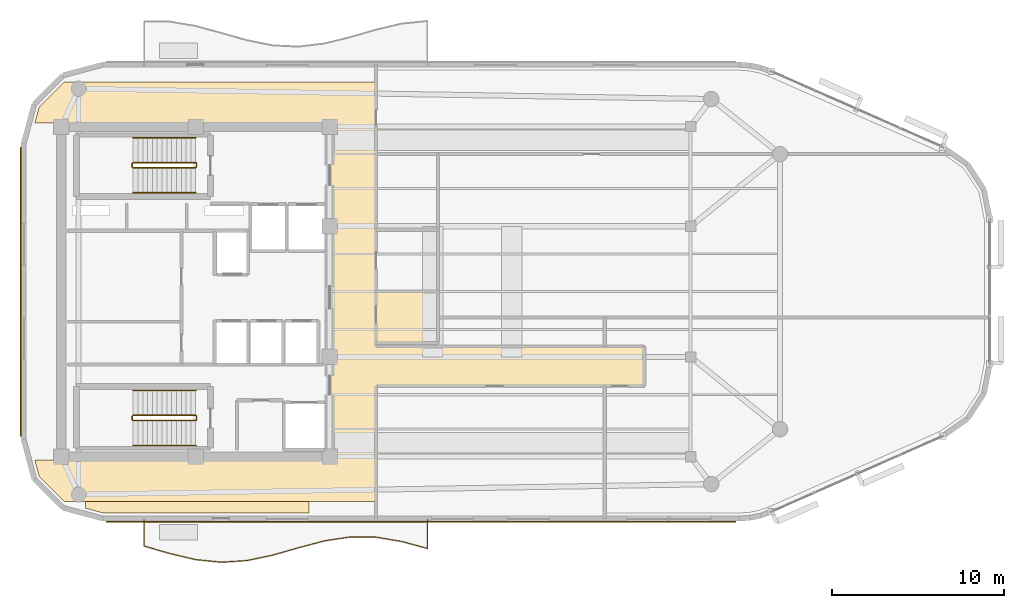
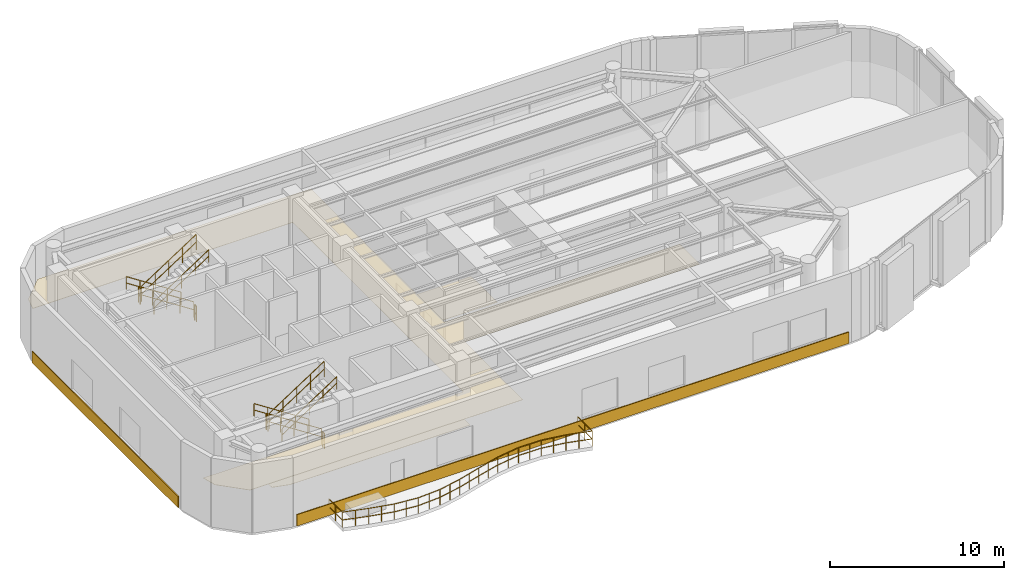
# One storey, part 11 of 12: 13 railings, 5 coverings.
"""IFC4 building model written with IfcOpenShell, lengths in metres."""

from ifc_helpers import new_model, si_unit, direction, frame, origin, origin_2d, place, context, subcontext, project, spatial, polyline, rectangle, circle, outline, extrude, material, layer, layer_set, type_object, element, save


model = new_model("IFC4")

# Units and contexts
model_context = context("Model", 3, precision=1e-05, world=origin(), true_north=direction((0.0, 1.0)))
body_context = subcontext(model_context, "Body", "Model", "MODEL_VIEW")
ifc_project = project(units=[si_unit("LENGTHUNIT", "METRE"), si_unit("AREAUNIT", "SQUARE_METRE"), si_unit("VOLUMEUNIT", "CUBIC_METRE"), si_unit("PLANEANGLEUNIT", "RADIAN"), si_unit("MASSUNIT", "GRAM", prefix="KILO")], contexts=[model_context])

# Site, building, storey
site_placement = place(None, origin())
site = spatial("IfcSite", under=ifc_project, at=site_placement, CompositionType="ELEMENT")
building_placement = place(site_placement, origin())
building = spatial("IfcBuilding", under=site, at=building_placement, Name="An Khanh Terracotta Commons", CompositionType="ELEMENT")
storey_placement = place(building_placement, frame((0.0, 0.0, 295.300048828125)))
storey = spatial("IfcBuildingStorey", under=building, at=storey_placement, Name="L77", CompositionType="ELEMENT", Elevation=295.300048828125)

# Coverings
ifc_material_1 = material(Name="Perforated Mineral-Fibre Acoustic Tile")
ifc_layer_1 = layer(ifc_material_1, 0.02001953125, Name="Perforated Mineral-Fibre Acoustic Tile")
ifc_layer_set_1 = layer_set([ifc_layer_1], Name="Perforated Mineral-Fibre Acoustic Tile")
covering_type_1 = type_object("IfcCoveringType", Name="CEIL-ACOUSTIC-18", PredefinedType="CEILING", material=ifc_layer_set_1)
covering_1_placement = place(storey_placement, frame((0.0, 0.0, 2.64990234375)))
element("IfcCovering", 1, at=covering_1_placement, inside=storey, type_object=covering_type_1, Name="L77 Sky Lobby Ceiling", PredefinedType="CEILING", context=body_context, shape_type="SweptSolid", body=[
    extrude(outline(polyline([(37.300048828125, 14.199951171875), (37.300048828125, 14.280029296875), (37.320068359375, 14.280029296875), (37.320068359375, 33.719970703125), (37.300048828125, 33.719970703125), (37.300048828125, 33.800048828125), (20.052978515625, 33.800048828125), (20.302978515625, 34.73388671875), (21.76904296875, 36.199951171875), (39.89990234375, 36.199951171875), (39.89990234375, 35.800048828125), (39.89990234375, 33.800048828125), (39.89990234375, 20.800048828125), (55.5, 20.800048828125), (55.5, 18.5), (39.89990234375, 18.5), (39.89990234375, 14.199951171875), (39.89990234375, 12.199951171875), (39.89990234375, 11.800048828125), (21.76904296875, 11.800048828125), (20.302978515625, 13.26611328125), (20.052978515625, 14.199951171875), (37.300048828125, 14.199951171875)])), origin(), (0.0, 0.0, 1.0), 0.02001953125),
])
covering_2_placement = place(storey_placement, frame((0.0, 0.0, 2.64990234375)))
element("IfcCovering", 2, at=covering_2_placement, inside=storey, type_object=covering_type_1, Name="L77 Sky Lobby Accessible WC Ceiling", PredefinedType="CEILING", context=body_context, shape_type="SweptSolid", body=[
    extrude(outline(polyline([(39.89990234375, 24.0), (43.5, 24.0), (43.5, 21.0), (39.89990234375, 21.0), (39.89990234375, 24.0)])), origin(), (0.0, 0.0, 1.0), 0.02001953125),
])
covering_3_placement = place(storey_placement, frame((0.0, 0.0, 2.64990234375)))
element("IfcCovering", 3, at=covering_3_placement, inside=storey, type_object=covering_type_1, Name="L77 Sky Lobby Pantry Store Ceiling", PredefinedType="CEILING", context=body_context, shape_type="SweptSolid", body=[
    extrude(outline(polyline([(24.0419921875, 11.1201171875), (23.0, 11.39892578125), (23.0, 11.800048828125), (36.0, 11.800048828125), (36.0, 11.1201171875), (24.0419921875, 11.1201171875)])), origin(), (0.0, 0.0, 1.0), 0.02001953125),
])
ifc_material_2 = material(Name="Fired Terracotta Rainscreen Cladding", Category="masonry")
ifc_layer_2 = layer(ifc_material_2, 0.06005859375, Name="Fired Terracotta Rainscreen Cladding")
ifc_layer_set_2 = layer_set([ifc_layer_2], Name="Fired Terracotta Rainscreen Cladding")
covering_type_2 = type_object("IfcCoveringType", Name="COV-SPANDREL-TERRA", PredefinedType="CLADDING", material=ifc_layer_set_2)
covering_4_placement = place(storey_placement, frame((42.514892578125, 10.6201171875, 0.02001953125), z_axis=(0.0, 0.0, 1.0), x_axis=(1.0, 0.0, 0.0)))
element("IfcCovering", 4, at=covering_4_placement, inside=storey, type_object=covering_type_2, Name="L77 Terracotta Spandrel Cladding 4", PredefinedType="CLADDING", context=body_context, shape_type="SweptSolid", body=[
    extrude(rectangle(XDim=36.6298828125, YDim=0.06005859375, at=origin_2d()), origin(), (0.0, 0.0, 1.0), 0.800048828125),
])
covering_5_placement = place(storey_placement, frame((19.219970703125, 24.0, 0.02001953125), z_axis=(0.0, 0.0, 1.0), x_axis=(0.0, -1.0, 0.0)))
element("IfcCovering", 5, at=covering_5_placement, inside=storey, type_object=covering_type_2, Name="L77 Terracotta Spandrel Cladding 24", PredefinedType="CLADDING", context=body_context, shape_type="SweptSolid", body=[
    extrude(rectangle(XDim=16.800048828125, YDim=0.06005859375, at=origin_2d()), origin(), (0.0, 0.0, 1.0), 0.800048828125),
])

# Railings
ifc_material_3 = material(Name="Brushed Stainless Steel 316", Category="steel")
railing_type_1 = type_object("IfcRailingType", Name="RAIL-BALUSTRADE-1100", PredefinedType="BALUSTRADE", material=ifc_material_3)
railing_1_placement = place(storey_placement, frame((26.39990234375, 10.739990234375, 0.0)))
element("IfcRailing", 6, at=railing_1_placement, inside=storey, type_object=railing_type_1, Name="L77 S Wave Balcony Guard Balustrade", PredefinedType="BALUSTRADE", context=body_context, shape_type="SweptSolid", body=[
    extrude(circle(Radius=0.02392578125, at=origin_2d()), frame((0.0, 0.0, 1.076171875), z_axis=(0.0, -1.0, 0.0), x_axis=(1.0, 0.0, 0.0)), (0.0, 0.0, 1.0), 1.535888671875),
    extrude(circle(Radius=0.02392578125, at=origin_2d()), frame((0.0, 0.0, 0.52587890625), z_axis=(0.0, -1.0, 0.0), x_axis=(1.0, 0.0, 0.0)), (0.0, 0.0, 1.0), 1.535888671875),
    extrude(circle(Radius=0.02392578125, at=origin_2d()), frame((0.0, -1.535888671875, 1.076171875), z_axis=(0.960419102414, -0.278559056071, 0.0), x_axis=(0.278559056071, 0.960419102414, 0.0)), (0.0, 0.0, 1.0), 1.561767578125),
    extrude(circle(Radius=0.02392578125, at=origin_2d()), frame((0.0, -1.535888671875, 0.52587890625), z_axis=(0.960419102414, -0.278559056071, 0.0), x_axis=(0.278559056071, 0.960419102414, 0.0)), (0.0, 0.0, 1.0), 1.561767578125),
    extrude(circle(Radius=0.02392578125, at=origin_2d()), frame((1.5, -1.970947265625, 1.076171875), z_axis=(0.973263214687, -0.229692653206, 0.0), x_axis=(0.229692653206, 0.973263214687, 0.0)), (0.0, 0.0, 1.0), 1.541259765625),
    extrude(circle(Radius=0.02392578125, at=origin_2d()), frame((1.5, -1.970947265625, 0.52587890625), z_axis=(0.973263214687, -0.229692653206, 0.0), x_axis=(0.229692653206, 0.973263214687, 0.0)), (0.0, 0.0, 1.0), 1.541259765625),
    extrude(circle(Radius=0.02392578125, at=origin_2d()), frame((3.0, -2.324951171875, 1.076171875), z_axis=(0.994833141332, -0.101523499286, 0.0), x_axis=(0.101523499286, 0.994833141332, 0.0)), (0.0, 0.0, 1.0), 1.5078125),
    extrude(circle(Radius=0.02392578125, at=origin_2d()), frame((3.0, -2.324951171875, 0.52587890625), z_axis=(0.994833141332, -0.101523499286, 0.0), x_axis=(0.101523499286, 0.994833141332, 0.0)), (0.0, 0.0, 1.0), 1.5078125),
    extrude(circle(Radius=0.02392578125, at=origin_2d()), frame((4.5, -2.47802734375, 1.076171875), z_axis=(0.997866326321, 0.065290081898, 0.0), x_axis=(-0.065290081898, 0.997866326321, 0.0)), (0.0, 0.0, 1.0), 1.503173828125),
    extrude(circle(Radius=0.02392578125, at=origin_2d()), frame((4.5, -2.47802734375, 0.52587890625), z_axis=(0.997866326321, 0.065290081898, 0.0), x_axis=(-0.065290081898, 0.997866326321, 0.0)), (0.0, 0.0, 1.0), 1.503173828125),
    extrude(circle(Radius=0.02392578125, at=origin_2d()), frame((6.0, -2.3798828125, 1.076171875), z_axis=(0.978275241205, 0.207310280607, 0.0), x_axis=(-0.207310280607, 0.978275241205, 0.0)), (0.0, 0.0, 1.0), 1.533203125),
    extrude(circle(Radius=0.02392578125, at=origin_2d()), frame((6.0, -2.3798828125, 0.52587890625), z_axis=(0.978275241205, 0.207310280607, 0.0), x_axis=(-0.207310280607, 0.978275241205, 0.0)), (0.0, 0.0, 1.0), 1.533203125),
    extrude(circle(Radius=0.02392578125, at=origin_2d()), frame((7.5, -2.06201171875, 1.076171875), z_axis=(0.961293347262, 0.275526950607, 0.0), x_axis=(-0.275526950607, 0.961293347262, 0.0)), (0.0, 0.0, 1.0), 1.560302734375),
    extrude(circle(Radius=0.02392578125, at=origin_2d()), frame((7.5, -2.06201171875, 0.52587890625), z_axis=(0.961293347262, 0.275526950607, 0.0), x_axis=(-0.275526950607, 0.961293347262, 0.0)), (0.0, 0.0, 1.0), 1.560302734375),
    extrude(circle(Radius=0.02392578125, at=origin_2d()), frame((9.0, -1.632080078125, 1.076171875), z_axis=(0.966718963822, 0.255840663277, 0.0), x_axis=(-0.255840663277, 0.966718963822, 0.0)), (0.0, 0.0, 1.0), 1.5517578125),
    extrude(circle(Radius=0.02392578125, at=origin_2d()), frame((9.0, -1.632080078125, 0.52587890625), z_axis=(0.966718963822, 0.255840663277, 0.0), x_axis=(-0.255840663277, 0.966718963822, 0.0)), (0.0, 0.0, 1.0), 1.5517578125),
    extrude(circle(Radius=0.02392578125, at=origin_2d()), frame((10.5, -1.235107421875, 1.076171875), z_axis=(0.988545890906, 0.15092058035, 0.0), x_axis=(-0.15092058035, 0.988545890906, 0.0)), (0.0, 0.0, 1.0), 1.517333984375),
    extrude(circle(Radius=0.02392578125, at=origin_2d()), frame((10.5, -1.235107421875, 0.52587890625), z_axis=(0.988545890906, 0.15092058035, 0.0), x_axis=(-0.15092058035, 0.988545890906, 0.0)), (0.0, 0.0, 1.0), 1.517333984375),
    extrude(circle(Radius=0.02392578125, at=origin_2d()), frame((12.0, -1.006103515625, 1.076171875), z_axis=(0.999956968224, -0.009276944529, 0.0), x_axis=(0.009276944529, 0.999956968224, 0.0)), (0.0, 0.0, 1.0), 1.5),
    extrude(circle(Radius=0.02392578125, at=origin_2d()), frame((12.0, -1.006103515625, 0.52587890625), z_axis=(0.999956968224, -0.009276944529, 0.0), x_axis=(0.009276944529, 0.999956968224, 0.0)), (0.0, 0.0, 1.0), 1.5),
    extrude(circle(Radius=0.02392578125, at=origin_2d()), frame((13.5, -1.02001953125, 1.076171875), z_axis=(0.986079829755, -0.16627257546, 0.0), x_axis=(0.16627257546, 0.986079829755, 0.0)), (0.0, 0.0, 1.0), 1.521240234375),
    extrude(circle(Radius=0.02392578125, at=origin_2d()), frame((13.5, -1.02001953125, 0.52587890625), z_axis=(0.986079829755, -0.16627257546, 0.0), x_axis=(0.16627257546, 0.986079829755, 0.0)), (0.0, 0.0, 1.0), 1.521240234375),
    extrude(circle(Radius=0.02392578125, at=origin_2d()), frame((15.0, -1.27294921875, 1.076171875), z_axis=(0.964948425307, -0.262439586375, 0.0), x_axis=(0.262439586375, 0.964948425307, 0.0)), (0.0, 0.0, 1.0), 1.554443359375),
    extrude(circle(Radius=0.02392578125, at=origin_2d()), frame((15.0, -1.27294921875, 0.52587890625), z_axis=(0.964948425307, -0.262439586375, 0.0), x_axis=(0.262439586375, 0.964948425307, 0.0)), (0.0, 0.0, 1.0), 1.554443359375),
    extrude(circle(Radius=0.02392578125, at=origin_2d()), frame((16.5, -1.680908203125, 1.076171875), z_axis=(0.0, 1.0, 0.0), x_axis=(-1.0, 0.0, 0.0)), (0.0, 0.0, 1.0), 1.680908203125),
    extrude(circle(Radius=0.02392578125, at=origin_2d()), frame((16.5, -1.680908203125, 0.52587890625), z_axis=(0.0, 1.0, 0.0), x_axis=(-1.0, 0.0, 0.0)), (0.0, 0.0, 1.0), 1.680908203125),
    extrude(circle(Radius=0.02099609375, at=origin_2d()), origin(), (0.0, 0.0, 1.0), 1.052001953125),
    extrude(circle(Radius=0.02099609375, at=origin_2d()), frame((0.0, -0.76806640625, 0.0)), (0.0, 0.0, 1.0), 1.052001953125),
    extrude(circle(Radius=0.02099609375, at=origin_2d()), frame((0.0, -1.535888671875, 0.0)), (0.0, 0.0, 1.0), 1.052001953125),
    extrude(circle(Radius=0.02099609375, at=origin_2d()), frame((0.75, -1.75341796875, 0.0)), (0.0, 0.0, 1.0), 1.052001953125),
    extrude(circle(Radius=0.02099609375, at=origin_2d()), frame((1.5, -1.970947265625, 0.0)), (0.0, 0.0, 1.0), 1.052001953125),
    extrude(circle(Radius=0.02099609375, at=origin_2d()), frame((2.25, -2.14794921875, 0.0)), (0.0, 0.0, 1.0), 1.052001953125),
    extrude(circle(Radius=0.02099609375, at=origin_2d()), frame((3.0, -2.324951171875, 0.0)), (0.0, 0.0, 1.0), 1.052001953125),
    extrude(circle(Radius=0.02099609375, at=origin_2d()), frame((3.75, -2.4013671875, 0.0)), (0.0, 0.0, 1.0), 1.052001953125),
    extrude(circle(Radius=0.02099609375, at=origin_2d()), frame((4.5, -2.47802734375, 0.0)), (0.0, 0.0, 1.0), 1.052001953125),
    extrude(circle(Radius=0.02099609375, at=origin_2d()), frame((5.25, -2.428955078125, 0.0)), (0.0, 0.0, 1.0), 1.052001953125),
    extrude(circle(Radius=0.02099609375, at=origin_2d()), frame((6.0, -2.3798828125, 0.0)), (0.0, 0.0, 1.0), 1.052001953125),
    extrude(circle(Radius=0.02099609375, at=origin_2d()), frame((6.75, -2.220947265625, 0.0)), (0.0, 0.0, 1.0), 1.052001953125),
    extrude(circle(Radius=0.02099609375, at=origin_2d()), frame((7.5, -2.06201171875, 0.0)), (0.0, 0.0, 1.0), 1.052001953125),
    extrude(circle(Radius=0.02099609375, at=origin_2d()), frame((8.25, -1.84716796875, 0.0)), (0.0, 0.0, 1.0), 1.052001953125),
    extrude(circle(Radius=0.02099609375, at=origin_2d()), frame((9.0, -1.632080078125, 0.0)), (0.0, 0.0, 1.0), 1.052001953125),
    extrude(circle(Radius=0.02099609375, at=origin_2d()), frame((9.75, -1.43359375, 0.0)), (0.0, 0.0, 1.0), 1.052001953125),
    extrude(circle(Radius=0.02099609375, at=origin_2d()), frame((10.5, -1.235107421875, 0.0)), (0.0, 0.0, 1.0), 1.052001953125),
    extrude(circle(Radius=0.02099609375, at=origin_2d()), frame((11.25, -1.12060546875, 0.0)), (0.0, 0.0, 1.0), 1.052001953125),
    extrude(circle(Radius=0.02099609375, at=origin_2d()), frame((12.0, -1.006103515625, 0.0)), (0.0, 0.0, 1.0), 1.052001953125),
    extrude(circle(Radius=0.02099609375, at=origin_2d()), frame((12.75, -1.01318359375, 0.0)), (0.0, 0.0, 1.0), 1.052001953125),
    extrude(circle(Radius=0.02099609375, at=origin_2d()), frame((13.5, -1.02001953125, 0.0)), (0.0, 0.0, 1.0), 1.052001953125),
    extrude(circle(Radius=0.02099609375, at=origin_2d()), frame((14.25, -1.146484375, 0.0)), (0.0, 0.0, 1.0), 1.052001953125),
    extrude(circle(Radius=0.02099609375, at=origin_2d()), frame((15.0, -1.27294921875, 0.0)), (0.0, 0.0, 1.0), 1.052001953125),
    extrude(circle(Radius=0.02099609375, at=origin_2d()), frame((15.75, -1.47705078125, 0.0)), (0.0, 0.0, 1.0), 1.052001953125),
    extrude(circle(Radius=0.02099609375, at=origin_2d()), frame((16.5, -1.680908203125, 0.0)), (0.0, 0.0, 1.0), 1.052001953125),
    extrude(circle(Radius=0.02099609375, at=origin_2d()), frame((16.5, -0.84033203125, 0.0)), (0.0, 0.0, 1.0), 1.052001953125),
    extrude(circle(Radius=0.02099609375, at=origin_2d()), frame((16.5, 0.0, 0.0)), (0.0, 0.0, 1.0), 1.052001953125),
])
railing_type_2 = type_object("IfcRailingType", Name="RAIL-HANDRAIL-900", PredefinedType="HANDRAIL", material=ifc_material_3)
railing_2_placement = place(storey_placement, frame((29.409912109375, 32.949951171875, 0.18212890625)))
element("IfcRailing", 7, at=railing_2_placement, inside=storey, type_object=railing_type_2, Name="L77 ST-01 stair handrail 1", PredefinedType="HANDRAIL", context=body_context, shape_type="SweptSolid", body=[
    extrude(circle(Radius=0.02392578125, at=origin_2d()), frame((0.0, 0.0, 0.8759765625), z_axis=(-0.838234174257, 0.0, 0.545310433706), x_axis=(0.0, -1.0, 0.0)), (0.0, 0.0, 1.0), 4.34228515625),
    extrude(circle(Radius=0.02392578125, at=origin_2d()), frame((0.0, 0.0, 0.42578125), z_axis=(-0.838234174257, 0.0, 0.545310433706), x_axis=(0.0, -1.0, 0.0)), (0.0, 0.0, 1.0), 4.34228515625),
    extrude(circle(Radius=0.02099609375, at=origin_2d()), origin(), (0.0, 0.0, 1.0), 0.851806640625),
    extrude(circle(Radius=0.02099609375, at=origin_2d()), frame((-0.909912109375, 0.0, 0.592041015625)), (0.0, 0.0, 1.0), 0.851806640625),
    extrude(circle(Radius=0.02099609375, at=origin_2d()), frame((-1.81982421875, 0.0, 1.18408203125)), (0.0, 0.0, 1.0), 0.851806640625),
    extrude(circle(Radius=0.02099609375, at=origin_2d()), frame((-2.72998046875, 0.0, 1.77587890625)), (0.0, 0.0, 1.0), 0.851806640625),
    extrude(circle(Radius=0.02099609375, at=origin_2d()), frame((-3.639892578125, 0.0, 2.367919921875)), (0.0, 0.0, 1.0), 0.851806640625),
])
railing_3_placement = place(storey_placement, frame((25.77001953125, 29.75, 2.732177734375)))
element("IfcRailing", 8, at=railing_3_placement, inside=storey, type_object=railing_type_2, Name="L77 ST-01 stair handrail 2", PredefinedType="HANDRAIL", context=body_context, shape_type="SweptSolid", body=[
    extrude(circle(Radius=0.02392578125, at=origin_2d()), frame((0.0, 0.0, 0.8759765625), z_axis=(0.838259873693, 0.0, 0.545270927297), x_axis=(0.0, 1.0, 0.0)), (0.0, 0.0, 1.0), 4.34228515625),
    extrude(circle(Radius=0.02392578125, at=origin_2d()), frame((0.0, 0.0, 0.42578125), z_axis=(0.838259873693, 0.0, 0.545270927297), x_axis=(0.0, 1.0, 0.0)), (0.0, 0.0, 1.0), 4.34228515625),
    extrude(circle(Radius=0.02099609375, at=origin_2d()), origin(), (0.0, 0.0, 1.0), 0.851806640625),
    extrude(circle(Radius=0.02099609375, at=origin_2d()), frame((0.909912109375, 0.0, 0.591796875)), (0.0, 0.0, 1.0), 0.851806640625),
    extrude(circle(Radius=0.02099609375, at=origin_2d()), frame((1.81982421875, 0.0, 1.183837890625)), (0.0, 0.0, 1.0), 0.851806640625),
    extrude(circle(Radius=0.02099609375, at=origin_2d()), frame((2.72998046875, 0.0, 1.77587890625)), (0.0, 0.0, 1.0), 0.851806640625),
    extrude(circle(Radius=0.02099609375, at=origin_2d()), frame((3.639892578125, 0.0, 2.36767578125)), (0.0, 0.0, 1.0), 0.851806640625),
])
railing_4_placement = place(storey_placement, frame((29.409912109375, 18.25, 0.18212890625)))
element("IfcRailing", 9, at=railing_4_placement, inside=storey, type_object=railing_type_2, Name="L77 ST-02 stair handrail 1", PredefinedType="HANDRAIL", context=body_context, shape_type="SweptSolid", body=[
    extrude(circle(Radius=0.02392578125, at=origin_2d()), frame((0.0, 0.0, 0.8759765625), z_axis=(-0.838234174257, 0.0, 0.545310433706), x_axis=(0.0, -1.0, 0.0)), (0.0, 0.0, 1.0), 4.34228515625),
    extrude(circle(Radius=0.02392578125, at=origin_2d()), frame((0.0, 0.0, 0.42578125), z_axis=(-0.838234174257, 0.0, 0.545310433706), x_axis=(0.0, -1.0, 0.0)), (0.0, 0.0, 1.0), 4.34228515625),
    extrude(circle(Radius=0.02099609375, at=origin_2d()), origin(), (0.0, 0.0, 1.0), 0.851806640625),
    extrude(circle(Radius=0.02099609375, at=origin_2d()), frame((-0.909912109375, 0.0, 0.592041015625)), (0.0, 0.0, 1.0), 0.851806640625),
    extrude(circle(Radius=0.02099609375, at=origin_2d()), frame((-1.81982421875, 0.0, 1.18408203125)), (0.0, 0.0, 1.0), 0.851806640625),
    extrude(circle(Radius=0.02099609375, at=origin_2d()), frame((-2.72998046875, 0.0, 1.77587890625)), (0.0, 0.0, 1.0), 0.851806640625),
    extrude(circle(Radius=0.02099609375, at=origin_2d()), frame((-3.639892578125, 0.0, 2.367919921875)), (0.0, 0.0, 1.0), 0.851806640625),
])
railing_5_placement = place(storey_placement, frame((25.77001953125, 15.050048828125, 2.732177734375)))
element("IfcRailing", 10, at=railing_5_placement, inside=storey, type_object=railing_type_2, Name="L77 ST-02 stair handrail 2", PredefinedType="HANDRAIL", context=body_context, shape_type="SweptSolid", body=[
    extrude(circle(Radius=0.02392578125, at=origin_2d()), frame((0.0, 0.0, 0.8759765625), z_axis=(0.838259873693, 0.0, 0.545270927297), x_axis=(0.0, 1.0, 0.0)), (0.0, 0.0, 1.0), 4.34228515625),
    extrude(circle(Radius=0.02392578125, at=origin_2d()), frame((0.0, 0.0, 0.42578125), z_axis=(0.838259873693, 0.0, 0.545270927297), x_axis=(0.0, 1.0, 0.0)), (0.0, 0.0, 1.0), 4.34228515625),
    extrude(circle(Radius=0.02099609375, at=origin_2d()), origin(), (0.0, 0.0, 1.0), 0.851806640625),
    extrude(circle(Radius=0.02099609375, at=origin_2d()), frame((0.909912109375, 0.0, 0.591796875)), (0.0, 0.0, 1.0), 0.851806640625),
    extrude(circle(Radius=0.02099609375, at=origin_2d()), frame((1.81982421875, 0.0, 1.183837890625)), (0.0, 0.0, 1.0), 0.851806640625),
    extrude(circle(Radius=0.02099609375, at=origin_2d()), frame((2.72998046875, 0.0, 1.77587890625)), (0.0, 0.0, 1.0), 0.851806640625),
    extrude(circle(Radius=0.02099609375, at=origin_2d()), frame((3.639892578125, 0.0, 2.36767578125)), (0.0, 0.0, 1.0), 0.851806640625),
])
ifc_material_4 = material(Name="Powder-Coated Steel S355J2", Category="steel")
railing_type_3 = type_object("IfcRailingType", Name="RAIL-STAIR-GUARD-1100", PredefinedType="BALUSTRADE", material=ifc_material_4)
railing_6_placement = place(storey_placement, frame((29.409912109375, 31.5, 0.18212890625)))
element("IfcRailing", 11, at=railing_6_placement, inside=storey, type_object=railing_type_3, Name="L77 ST-01 stair guard 1", PredefinedType="BALUSTRADE", context=body_context, shape_type="SweptSolid", body=[
    extrude(circle(Radius=0.02392578125, at=origin_2d()), frame((0.0, 0.0, 1.076171875), z_axis=(-0.838234174257, 0.0, 0.545310433706), x_axis=(0.0, -1.0, 0.0)), (0.0, 0.0, 1.0), 4.34228515625),
    extrude(circle(Radius=0.02392578125, at=origin_2d()), frame((0.0, 0.0, 0.52587890625), z_axis=(-0.838234174257, 0.0, 0.545310433706), x_axis=(0.0, -1.0, 0.0)), (0.0, 0.0, 1.0), 4.34228515625),
    extrude(circle(Radius=0.02099609375, at=origin_2d()), origin(), (0.0, 0.0, 1.0), 1.052001953125),
    extrude(circle(Radius=0.02099609375, at=origin_2d()), frame((-0.909912109375, 0.0, 0.592041015625)), (0.0, 0.0, 1.0), 1.052001953125),
    extrude(circle(Radius=0.02099609375, at=origin_2d()), frame((-1.81982421875, 0.0, 1.18408203125)), (0.0, 0.0, 1.0), 1.052001953125),
    extrude(circle(Radius=0.02099609375, at=origin_2d()), frame((-2.72998046875, 0.0, 1.77587890625)), (0.0, 0.0, 1.0), 1.052001953125),
    extrude(circle(Radius=0.02099609375, at=origin_2d()), frame((-3.639892578125, 0.0, 2.367919921875)), (0.0, 0.0, 1.0), 1.052001953125),
])
railing_7_placement = place(storey_placement, frame((25.719970703125, 31.449951171875, 2.550048828125)))
element("IfcRailing", 12, at=railing_7_placement, inside=storey, type_object=railing_type_3, Name="L77 ST-01 stair guard 2", PredefinedType="BALUSTRADE", context=body_context, shape_type="SweptSolid", body=[
    extrude(circle(Radius=0.02392578125, at=origin_2d()), frame((0.0, 0.0, 1.076171875), z_axis=(0.0, -1.0, 0.0), x_axis=(1.0, 0.0, 0.0)), (0.0, 0.0, 1.0), 0.199951171875),
    extrude(circle(Radius=0.02392578125, at=origin_2d()), frame((0.0, 0.0, 0.52587890625), z_axis=(0.0, -1.0, 0.0), x_axis=(1.0, 0.0, 0.0)), (0.0, 0.0, 1.0), 0.199951171875),
    extrude(circle(Radius=0.02099609375, at=origin_2d()), origin(), (0.0, 0.0, 1.0), 1.052001953125),
    extrude(circle(Radius=0.02099609375, at=origin_2d()), frame((0.0, -0.199951171875, 0.0)), (0.0, 0.0, 1.0), 1.052001953125),
])
railing_8_placement = place(storey_placement, frame((25.77001953125, 31.199951171875, 2.732177734375)))
element("IfcRailing", 13, at=railing_8_placement, inside=storey, type_object=railing_type_3, Name="L77 ST-01 stair guard 3", PredefinedType="BALUSTRADE", context=body_context, shape_type="SweptSolid", body=[
    extrude(circle(Radius=0.02392578125, at=origin_2d()), frame((0.0, 0.0, 1.076171875), z_axis=(0.838259873693, 0.0, 0.545270927297), x_axis=(0.0, 1.0, 0.0)), (0.0, 0.0, 1.0), 4.34228515625),
    extrude(circle(Radius=0.02392578125, at=origin_2d()), frame((0.0, 0.0, 0.52587890625), z_axis=(0.838259873693, 0.0, 0.545270927297), x_axis=(0.0, 1.0, 0.0)), (0.0, 0.0, 1.0), 4.34228515625),
    extrude(circle(Radius=0.02099609375, at=origin_2d()), origin(), (0.0, 0.0, 1.0), 1.052001953125),
    extrude(circle(Radius=0.02099609375, at=origin_2d()), frame((0.909912109375, 0.0, 0.591796875)), (0.0, 0.0, 1.0), 1.052001953125),
    extrude(circle(Radius=0.02099609375, at=origin_2d()), frame((1.81982421875, 0.0, 1.183837890625)), (0.0, 0.0, 1.0), 1.052001953125),
    extrude(circle(Radius=0.02099609375, at=origin_2d()), frame((2.72998046875, 0.0, 1.77587890625)), (0.0, 0.0, 1.0), 1.052001953125),
    extrude(circle(Radius=0.02099609375, at=origin_2d()), frame((3.639892578125, 0.0, 2.36767578125)), (0.0, 0.0, 1.0), 1.052001953125),
])
railing_9_placement = place(storey_placement, frame((29.4599609375, 31.449951171875, 0.0)))
element("IfcRailing", 14, at=railing_9_placement, inside=storey, type_object=railing_type_3, Name="L77 ST-01 stair guard 4", PredefinedType="BALUSTRADE", context=body_context, shape_type="SweptSolid", body=[
    extrude(circle(Radius=0.02392578125, at=origin_2d()), frame((0.0, 0.0, 1.076171875), z_axis=(0.0, -1.0, 0.0), x_axis=(1.0, 0.0, 0.0)), (0.0, 0.0, 1.0), 0.199951171875),
    extrude(circle(Radius=0.02392578125, at=origin_2d()), frame((0.0, 0.0, 0.52587890625), z_axis=(0.0, -1.0, 0.0), x_axis=(1.0, 0.0, 0.0)), (0.0, 0.0, 1.0), 0.199951171875),
    extrude(circle(Radius=0.02099609375, at=origin_2d()), origin(), (0.0, 0.0, 1.0), 1.052001953125),
    extrude(circle(Radius=0.02099609375, at=origin_2d()), frame((0.0, -0.199951171875, 0.0)), (0.0, 0.0, 1.0), 1.052001953125),
])
railing_10_placement = place(storey_placement, frame((29.409912109375, 16.800048828125, 0.18212890625)))
element("IfcRailing", 15, at=railing_10_placement, inside=storey, type_object=railing_type_3, Name="L77 ST-02 stair guard 1", PredefinedType="BALUSTRADE", context=body_context, shape_type="SweptSolid", body=[
    extrude(circle(Radius=0.02392578125, at=origin_2d()), frame((0.0, 0.0, 1.076171875), z_axis=(-0.838234174257, 0.0, 0.545310433706), x_axis=(0.0, -1.0, 0.0)), (0.0, 0.0, 1.0), 4.34228515625),
    extrude(circle(Radius=0.02392578125, at=origin_2d()), frame((0.0, 0.0, 0.52587890625), z_axis=(-0.838234174257, 0.0, 0.545310433706), x_axis=(0.0, -1.0, 0.0)), (0.0, 0.0, 1.0), 4.34228515625),
    extrude(circle(Radius=0.02099609375, at=origin_2d()), origin(), (0.0, 0.0, 1.0), 1.052001953125),
    extrude(circle(Radius=0.02099609375, at=origin_2d()), frame((-0.909912109375, 0.0, 0.592041015625)), (0.0, 0.0, 1.0), 1.052001953125),
    extrude(circle(Radius=0.02099609375, at=origin_2d()), frame((-1.81982421875, 0.0, 1.18408203125)), (0.0, 0.0, 1.0), 1.052001953125),
    extrude(circle(Radius=0.02099609375, at=origin_2d()), frame((-2.72998046875, 0.0, 1.77587890625)), (0.0, 0.0, 1.0), 1.052001953125),
    extrude(circle(Radius=0.02099609375, at=origin_2d()), frame((-3.639892578125, 0.0, 2.367919921875)), (0.0, 0.0, 1.0), 1.052001953125),
])
railing_11_placement = place(storey_placement, frame((25.719970703125, 16.75, 2.550048828125)))
element("IfcRailing", 16, at=railing_11_placement, inside=storey, type_object=railing_type_3, Name="L77 ST-02 stair guard 2", PredefinedType="BALUSTRADE", context=body_context, shape_type="SweptSolid", body=[
    extrude(circle(Radius=0.02392578125, at=origin_2d()), frame((0.0, 0.0, 1.076171875), z_axis=(0.0, -1.0, 0.0), x_axis=(1.0, 0.0, 0.0)), (0.0, 0.0, 1.0), 0.199951171875),
    extrude(circle(Radius=0.02392578125, at=origin_2d()), frame((0.0, 0.0, 0.52587890625), z_axis=(0.0, -1.0, 0.0), x_axis=(1.0, 0.0, 0.0)), (0.0, 0.0, 1.0), 0.199951171875),
    extrude(circle(Radius=0.02099609375, at=origin_2d()), origin(), (0.0, 0.0, 1.0), 1.052001953125),
    extrude(circle(Radius=0.02099609375, at=origin_2d()), frame((0.0, -0.199951171875, 0.0)), (0.0, 0.0, 1.0), 1.052001953125),
])
railing_12_placement = place(storey_placement, frame((25.77001953125, 16.5, 2.732177734375)))
element("IfcRailing", 17, at=railing_12_placement, inside=storey, type_object=railing_type_3, Name="L77 ST-02 stair guard 3", PredefinedType="BALUSTRADE", context=body_context, shape_type="SweptSolid", body=[
    extrude(circle(Radius=0.02392578125, at=origin_2d()), frame((0.0, 0.0, 1.076171875), z_axis=(0.838259873693, 0.0, 0.545270927297), x_axis=(0.0, 1.0, 0.0)), (0.0, 0.0, 1.0), 4.34228515625),
    extrude(circle(Radius=0.02392578125, at=origin_2d()), frame((0.0, 0.0, 0.52587890625), z_axis=(0.838259873693, 0.0, 0.545270927297), x_axis=(0.0, 1.0, 0.0)), (0.0, 0.0, 1.0), 4.34228515625),
    extrude(circle(Radius=0.02099609375, at=origin_2d()), origin(), (0.0, 0.0, 1.0), 1.052001953125),
    extrude(circle(Radius=0.02099609375, at=origin_2d()), frame((0.909912109375, 0.0, 0.591796875)), (0.0, 0.0, 1.0), 1.052001953125),
    extrude(circle(Radius=0.02099609375, at=origin_2d()), frame((1.81982421875, 0.0, 1.183837890625)), (0.0, 0.0, 1.0), 1.052001953125),
    extrude(circle(Radius=0.02099609375, at=origin_2d()), frame((2.72998046875, 0.0, 1.77587890625)), (0.0, 0.0, 1.0), 1.052001953125),
    extrude(circle(Radius=0.02099609375, at=origin_2d()), frame((3.639892578125, 0.0, 2.36767578125)), (0.0, 0.0, 1.0), 1.052001953125),
])
railing_13_placement = place(storey_placement, frame((29.4599609375, 16.75, 0.0)))
element("IfcRailing", 18, at=railing_13_placement, inside=storey, type_object=railing_type_3, Name="L77 ST-02 stair guard 4", PredefinedType="BALUSTRADE", context=body_context, shape_type="SweptSolid", body=[
    extrude(circle(Radius=0.02392578125, at=origin_2d()), frame((0.0, 0.0, 1.076171875), z_axis=(0.0, -1.0, 0.0), x_axis=(1.0, 0.0, 0.0)), (0.0, 0.0, 1.0), 0.199951171875),
    extrude(circle(Radius=0.02392578125, at=origin_2d()), frame((0.0, 0.0, 0.52587890625), z_axis=(0.0, -1.0, 0.0), x_axis=(1.0, 0.0, 0.0)), (0.0, 0.0, 1.0), 0.199951171875),
    extrude(circle(Radius=0.02099609375, at=origin_2d()), origin(), (0.0, 0.0, 1.0), 1.052001953125),
    extrude(circle(Radius=0.02099609375, at=origin_2d()), frame((0.0, -0.199951171875, 0.0)), (0.0, 0.0, 1.0), 1.052001953125),
])

save(model, "model.ifc")
